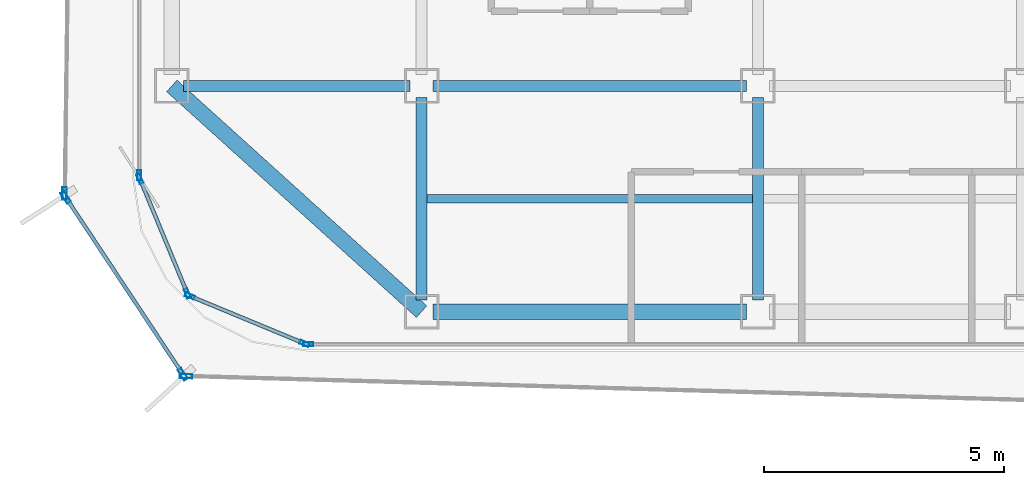
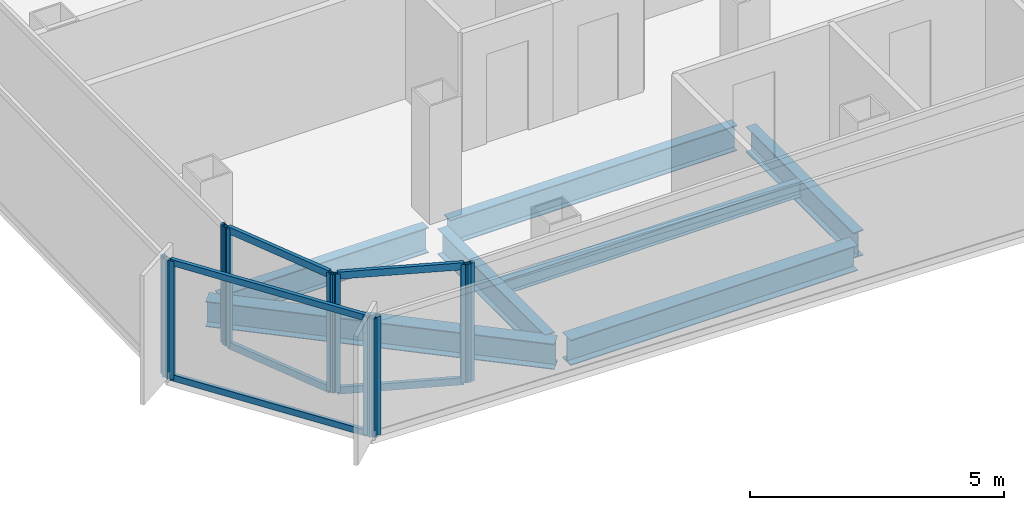
# One storey, part 2 of 15: 16 members, 7 beams, 7 elements without a shape of their own.
"""IFC4 building model written with IfcOpenShell, lengths in metres."""

from ifc_helpers import new_model, si_unit, direction, frame, origin, origin_2d, place, context, subcontext, project, spatial, hollow_rectangle, i_section, extrude, source, transform, mapped, material, layer, layer_set, material_profile, profile_set, type_object, element, aggregate, save


model = new_model("IFC4")

# Units and contexts
model_context = context("Model", 3, precision=1e-05, world=origin(), true_north=direction((0.0, 1.0)))
body_context = subcontext(model_context, "Body", "Model", "MODEL_VIEW")
ifc_project = project(units=[si_unit("LENGTHUNIT", "METRE"), si_unit("AREAUNIT", "SQUARE_METRE"), si_unit("VOLUMEUNIT", "CUBIC_METRE"), si_unit("PLANEANGLEUNIT", "RADIAN"), si_unit("MASSUNIT", "GRAM", prefix="KILO")], contexts=[model_context])

# Site, building, storey
site_placement = place(None, origin())
site = spatial("IfcSite", under=ifc_project, at=site_placement, CompositionType="ELEMENT")
building_placement = place(site_placement, origin())
building = spatial("IfcBuilding", under=site, at=building_placement, Name="Kolveth Station Tower", CompositionType="ELEMENT")
storey_placement = place(building_placement, frame((0.0, 0.0, 184.89990234375)))
storey = spatial("IfcBuildingStorey", under=building, at=storey_placement, Name="L52", CompositionType="ELEMENT", Elevation=184.89990234375)

# Beams
ifc_material_1 = material(Name="Steel S355", Category="steel")
ifc_material_profile_1 = material_profile(ifc_material_1, i_section(OverallWidth=0.323974609375, OverallDepth=0.611083984375, WebThickness=0.0126953125, FlangeThickness=0.01904296875, at=origin_2d()), Name="W610x155")
ifc_profile_set_1 = profile_set([ifc_material_profile_1], Name="Steel S355")
beam_type_1 = type_object("IfcBeamType", Name="Beam_SP2", PredefinedType="SPANDREL", material=ifc_profile_set_1)
shared_shape_1 = source(origin(), body_context, "Body", "SweptSolid", [
    extrude(i_section(OverallWidth=0.323974609375, OverallDepth=0.611083984375, WebThickness=0.0126953125, FlangeThickness=0.01904296875, at=origin_2d()), origin(), (0.0, 0.0, 1.0), 7.00927734375),
])
beam_1_placement = place(storey_placement, frame((0.800048828125, 5.5, -0.555419921875), z_axis=(0.741874009795, -0.670539300557, 0.0), x_axis=(0.670539300557, 0.741874009795, 0.0)))
element("IfcBeam", 1, at=beam_1_placement, inside=storey, type_object=beam_type_1, Name="L52 Corner Edge Girder BM-L52-CNR-SW", PredefinedType="SPANDREL", context=body_context, shape_type="MappedRepresentation", body=[
    mapped(shared_shape_1, transform((0.0, 0.0, 0.0), x_axis=(1.0, 0.0, 0.0), y_axis=(0.0, 1.0, 0.0), z_axis=(0.0, 0.0, 1.0), scale=1.0)),
])
shared_shape_2 = source(origin(), body_context, "Body", "SweptSolid", [
    extrude(i_section(OverallWidth=0.323974609375, OverallDepth=0.611083984375, WebThickness=0.0126953125, FlangeThickness=0.01904296875, at=origin_2d()), origin(), (0.0, 0.0, 1.0), 6.52001953125),
])
beam_2_placement = place(storey_placement, frame((6.239990234375, 0.800048828125, -0.555419921875), z_axis=(1.0, 0.0, 0.0), x_axis=(0.0, 1.0, 0.0)))
element("IfcBeam", 2, at=beam_2_placement, inside=storey, type_object=beam_type_1, Name="L52 Perimeter Spandrel BM-L52-PS-1", PredefinedType="SPANDREL", context=body_context, shape_type="MappedRepresentation", body=[
    mapped(shared_shape_2, transform((0.0, 0.0, 0.0), x_axis=(1.0, 0.0, 0.0), y_axis=(0.0, 1.0, 0.0), z_axis=(0.0, 0.0, 1.0), scale=1.0)),
])
ifc_material_profile_2 = material_profile(ifc_material_1, i_section(OverallWidth=0.22900390625, OverallDepth=0.612060546875, WebThickness=0.011962890625, FlangeThickness=0.01953125, at=origin_2d()), Name="W610x125")
ifc_profile_set_2 = profile_set([ifc_material_profile_2], Name="Steel S355")
beam_type_2 = type_object("IfcBeamType", Name="Beam_B5", PredefinedType="BEAM", material=ifc_profile_set_2)
shared_shape_3 = source(origin(), body_context, "Body", "SweptSolid", [
    extrude(i_section(OverallWidth=0.22900390625, OverallDepth=0.612060546875, WebThickness=0.011962890625, FlangeThickness=0.01953125, at=origin_2d()), origin(), (0.0, 0.0, 1.0), 4.719970703125),
])
beam_3_placement = place(storey_placement, frame((1.0400390625, 5.5, -0.555908203125), z_axis=(1.0, 0.0, 0.0), x_axis=(0.0, 1.0, 0.0)))
element("IfcBeam", 3, at=beam_3_placement, inside=storey, type_object=beam_type_2, Name="L52 Primary Girder BM-L52-GY55-1", PredefinedType="BEAM", context=body_context, shape_type="MappedRepresentation", body=[
    mapped(shared_shape_3, transform((0.0, 0.0, 0.0), x_axis=(1.0, 0.0, 0.0), y_axis=(0.0, 1.0, 0.0), z_axis=(0.0, 0.0, 1.0), scale=1.0)),
])
shared_shape_4 = source(origin(), body_context, "Body", "SweptSolid", [
    extrude(i_section(OverallWidth=0.22900390625, OverallDepth=0.612060546875, WebThickness=0.011962890625, FlangeThickness=0.01953125, at=origin_2d()), origin(), (0.0, 0.0, 1.0), 6.52001953125),
])
beam_4_placement = place(storey_placement, frame((6.239990234375, 5.5, -0.555908203125), z_axis=(1.0, 0.0, 0.0), x_axis=(0.0, 1.0, 0.0)))
element("IfcBeam", 4, at=beam_4_placement, inside=storey, type_object=beam_type_2, Name="L52 Primary Girder BM-L52-GY55-2", PredefinedType="BEAM", context=body_context, shape_type="MappedRepresentation", body=[
    mapped(shared_shape_4, transform((0.0, 0.0, 0.0), x_axis=(1.0, 0.0, 0.0), y_axis=(0.0, 1.0, 0.0), z_axis=(0.0, 0.0, 1.0), scale=1.0)),
])
shared_shape_5 = source(origin(), body_context, "Body", "SweptSolid", [
    extrude(i_section(OverallWidth=0.22900390625, OverallDepth=0.612060546875, WebThickness=0.011962890625, FlangeThickness=0.01953125, at=origin_2d()), origin(), (0.0, 0.0, 1.0), 4.219970703125),
])
for number, where, z_axis, x_axis, name in (
    (5, (6.0, 1.0400390625, -0.555908203125), (0.0, 1.0, 0.0), (-1.0, 0.0, 0.0), "L52 Primary Girder BM-L52-GX60-1"),
    (6, (13.0, 1.0400390625, -0.555908203125), (0.0, 1.0, 0.0), (-1.0, 0.0, 0.0), "L52 Primary Girder BM-L52-GX130-1"),
):
    element("IfcBeam", number, at=place(storey_placement, frame(where, z_axis=z_axis, x_axis=x_axis)), inside=storey, type_object=beam_type_2, Name=name, PredefinedType="BEAM", context=body_context, shape_type="MappedRepresentation", body=[
        mapped(shared_shape_5, transform((0.0, 0.0, 0.0), x_axis=(1.0, 0.0, 0.0), y_axis=(0.0, 1.0, 0.0), z_axis=(0.0, 0.0, 1.0), scale=1.0)),
    ])
ifc_material_profile_3 = material_profile(ifc_material_1, i_section(OverallWidth=0.1708984375, OverallDepth=0.35205078125, WebThickness=0.0068359375, FlangeThickness=0.009765625, at=origin_2d()), Name="W360x44")
ifc_profile_set_3 = profile_set([ifc_material_profile_3], Name="Steel S355")
beam_type_3 = type_object("IfcBeamType", Name="Beam_J2", PredefinedType="JOIST", material=ifc_profile_set_3)
shared_shape_6 = source(origin(), body_context, "Body", "SweptSolid", [
    extrude(i_section(OverallWidth=0.1708984375, OverallDepth=0.35205078125, WebThickness=0.0068359375, FlangeThickness=0.009765625, at=origin_2d()), origin(), (0.0, 0.0, 1.0), 6.77490234375),
])
beam_5_placement = place(storey_placement, frame((6.112548828125, 3.14990234375, -0.42578125), z_axis=(1.0, 0.0, 0.0), x_axis=(0.0, 1.0, 0.0)))
element("IfcBeam", 7, at=beam_5_placement, inside=storey, type_object=beam_type_3, Name="L52 Secondary Joist JST-L52-2-1", PredefinedType="JOIST", context=body_context, shape_type="MappedRepresentation", body=[
    mapped(shared_shape_6, transform((0.0, 0.0, 0.0), x_axis=(1.0, 0.0, 0.0), y_axis=(0.0, 1.0, 0.0), z_axis=(0.0, 0.0, 1.0), scale=1.0)),
])

# Curtain wall, member
ifc_material_2 = material(Name="Aluminium 6063-T6 and low-E dark glass", Category="aluminium")
ifc_layer_1 = layer(ifc_material_2, 0.18994140625)
ifc_layer_set_1 = layer_set([ifc_layer_1], Name="Aluminium 6063-T6 and low-E dark glass")
curtain_wall_type_1 = type_object("IfcCurtainWallType", Name="CurtainWall_CW-Z2", PredefinedType="NOTDEFINED", material=ifc_layer_set_1)
curtain_wall_1_placement = place(storey_placement, origin())
curtain_wall_1 = element("IfcCurtainWall", 8, at=curtain_wall_1_placement, inside=storey, type_object=curtain_wall_type_1, Name="L52 Inner Thermal Curtain Wall 9", PredefinedType="NOTDEFINED")
ifc_material_3 = material(Name="Black anodized aluminium 6063-T6", Category="aluminium")
ifc_material_profile_4 = material_profile(ifc_material_3, hollow_rectangle(XDim=0.080078125, YDim=0.199951171875, WallThickness=0.0048828125, at=origin_2d()), Name="ALU-80x200x5")
ifc_profile_set_4 = profile_set([ifc_material_profile_4], Name="Black anodized aluminium 6063-T6")
member_type_1 = type_object("IfcMemberType", Name="Mullion_ML2", PredefinedType="MULLION", material=ifc_profile_set_4)
shared_shape_7 = source(origin(), body_context, "Body", "SweptSolid", [
    extrude(hollow_rectangle(XDim=0.080078125, YDim=0.199951171875, WallThickness=0.0048828125, at=origin_2d()), origin(), (0.0, 0.0, 1.0), 2.840087890625),
])
member_1_placement = place(storey_placement, frame((0.1201171875, 3.639892578125, 0.0), z_axis=(0.0, 0.0, 1.0), x_axis=(1.0, 0.0, 0.0)))
member_1 = element("IfcMember", 9, at=member_1_placement, type_object=member_type_1, Name="CW-Z2 mullion 2", PredefinedType="MULLION", context=body_context, shape_type="MappedRepresentation", body=[
    mapped(shared_shape_7, transform((0.0, 0.0, 0.0), x_axis=(1.0, 0.0, 0.0), y_axis=(0.0, 1.0, 0.0), z_axis=(0.0, 0.0, 1.0), scale=1.0)),
])
aggregate(curtain_wall_1, [member_1])

# Curtain wall, members
curtain_wall_2_placement = place(storey_placement, origin())
curtain_wall_2 = element("IfcCurtainWall", 10, at=curtain_wall_2_placement, inside=storey, type_object=curtain_wall_type_1, Name="L52 Inner Thermal Curtain Wall 10", PredefinedType="NOTDEFINED")
member_2_placement = place(storey_placement, frame((0.13525390625, 3.56298828125, 0.0), z_axis=(0.0, 0.0, 1.0), x_axis=(0.923873600544, 0.382697753087, 0.0)))
member_2 = element("IfcMember", 11, at=member_2_placement, type_object=member_type_1, Name="CW-Z2 mullion 1", PredefinedType="MULLION", context=body_context, shape_type="MappedRepresentation", body=[
    mapped(shared_shape_7, transform((0.0, 0.0, 0.0), x_axis=(1.0, 0.0, 0.0), y_axis=(0.0, 1.0, 0.0), z_axis=(0.0, 0.0, 1.0), scale=1.0)),
])
member_3_placement = place(storey_placement, frame((1.1240234375, 1.17626953125, 0.0), z_axis=(0.0, 0.0, 1.0), x_axis=(0.923873600544, 0.382697753087, 0.0)))
member_3 = element("IfcMember", 12, at=member_3_placement, type_object=member_type_1, Name="CW-Z2 mullion 2", PredefinedType="MULLION", context=body_context, shape_type="MappedRepresentation", body=[
    mapped(shared_shape_7, transform((0.0, 0.0, 0.0), x_axis=(1.0, 0.0, 0.0), y_axis=(0.0, 1.0, 0.0), z_axis=(0.0, 0.0, 1.0), scale=1.0)),
])

curtain_wall_3_placement = place(storey_placement, origin())
curtain_wall_3 = element("IfcCurtainWall", 13, at=curtain_wall_3_placement, inside=storey, type_object=curtain_wall_type_1, Name="L52 Inner Thermal Curtain Wall 11", PredefinedType="NOTDEFINED")
member_4_placement = place(storey_placement, frame((1.17626953125, 1.1240234375, 0.0), z_axis=(0.0, 0.0, 1.0), x_axis=(0.382697753087, 0.923873600544, 0.0)))
member_4 = element("IfcMember", 14, at=member_4_placement, type_object=member_type_1, Name="CW-Z2 mullion 1", PredefinedType="MULLION", context=body_context, shape_type="MappedRepresentation", body=[
    mapped(shared_shape_7, transform((0.0, 0.0, 0.0), x_axis=(1.0, 0.0, 0.0), y_axis=(0.0, 1.0, 0.0), z_axis=(0.0, 0.0, 1.0), scale=1.0)),
])
member_5_placement = place(storey_placement, frame((3.56298828125, 0.13525390625, 0.0), z_axis=(0.0, 0.0, 1.0), x_axis=(0.382697753087, 0.923873600544, 0.0)))
member_5 = element("IfcMember", 15, at=member_5_placement, type_object=member_type_1, Name="CW-Z2 mullion 2", PredefinedType="MULLION", context=body_context, shape_type="MappedRepresentation", body=[
    mapped(shared_shape_7, transform((0.0, 0.0, 0.0), x_axis=(1.0, 0.0, 0.0), y_axis=(0.0, 1.0, 0.0), z_axis=(0.0, 0.0, 1.0), scale=1.0)),
])

# Curtain wall, member
curtain_wall_4_placement = place(storey_placement, origin())
curtain_wall_4 = element("IfcCurtainWall", 16, at=curtain_wall_4_placement, inside=storey, type_object=curtain_wall_type_1, Name="L52 Inner Thermal Curtain Wall 12", PredefinedType="NOTDEFINED")
member_6_placement = place(storey_placement, frame((3.639892578125, 0.1201171875, 0.0), z_axis=(0.0, 0.0, 1.0), x_axis=(0.0, 1.0, 0.0)))
member_6 = element("IfcMember", 17, at=member_6_placement, type_object=member_type_1, Name="CW-Z2 mullion 1", PredefinedType="MULLION", context=body_context, shape_type="MappedRepresentation", body=[
    mapped(shared_shape_7, transform((0.0, 0.0, 0.0), x_axis=(1.0, 0.0, 0.0), y_axis=(0.0, 1.0, 0.0), z_axis=(0.0, 0.0, 1.0), scale=1.0)),
])
aggregate(curtain_wall_4, [member_6])

ifc_material_4 = material(Name="Black anodized aluminium 6063-T6 and dark solar glass", Category="aluminium")
ifc_layer_2 = layer(ifc_material_4, 0.159912109375)
ifc_layer_set_2 = layer_set([ifc_layer_2], Name="Black anodized aluminium 6063-T6 and dark solar glass")
curtain_wall_type_2 = type_object("IfcCurtainWallType", Name="OUTER SKIN CW-OS", PredefinedType="NOTDEFINED", material=ifc_layer_set_2)
curtain_wall_5_placement = place(storey_placement, origin())
curtain_wall_5 = element("IfcCurtainWall", 18, at=curtain_wall_5_placement, inside=storey, type_object=curtain_wall_type_2, Name="L52 Outer Ventilated Skin Curtain Wall 6", PredefinedType="NOTDEFINED")
ifc_material_profile_5 = material_profile(ifc_material_3, hollow_rectangle(XDim=0.090087890625, YDim=0.260009765625, WallThickness=0.0048828125, at=origin_2d()), Name="ALU-90x260x5")
ifc_profile_set_5 = profile_set([ifc_material_profile_5], Name="Black anodized aluminium 6063-T6")
member_type_2 = type_object("IfcMemberType", Name="FIN MULLION ML-OS", PredefinedType="MULLION", material=ifc_profile_set_5)
shared_shape_8 = source(origin(), body_context, "Body", "SweptSolid", [
    extrude(hollow_rectangle(XDim=0.090087890625, YDim=0.260009765625, WallThickness=0.0048828125, at=origin_2d()), origin(), (0.0, 0.0, 1.0), 2.840087890625),
])
member_7_placement = place(storey_placement, frame((-1.43359375, 3.26171875, 0.0), z_axis=(0.0, 0.0, 1.0), x_axis=(0.999911819587, -0.01327979858, 0.0)))
member_7 = element("IfcMember", 19, at=member_7_placement, type_object=member_type_2, Name="CW-OS mullion 2", PredefinedType="MULLION", context=body_context, shape_type="MappedRepresentation", body=[
    mapped(shared_shape_8, transform((0.0, 0.0, 0.0), x_axis=(1.0, 0.0, 0.0), y_axis=(0.0, 1.0, 0.0), z_axis=(0.0, 0.0, 1.0), scale=1.0)),
])
aggregate(curtain_wall_5, [member_7])

# Curtain wall, members
curtain_wall_6_placement = place(storey_placement, origin())
curtain_wall_6 = element("IfcCurtainWall", 20, at=curtain_wall_6_placement, inside=storey, type_object=curtain_wall_type_2, Name="L52 Outer Ventilated Skin Curtain Wall 7", PredefinedType="NOTDEFINED")
member_8_placement = place(storey_placement, frame((-1.4091796875, 3.17919921875, 0.0), z_axis=(0.0, 0.0, 1.0), x_axis=(0.834035056864, 0.551711449873, 0.0)))
member_8 = element("IfcMember", 21, at=member_8_placement, type_object=member_type_2, Name="CW-OS mullion 1", PredefinedType="MULLION", context=body_context, shape_type="MappedRepresentation", body=[
    mapped(shared_shape_8, transform((0.0, 0.0, 0.0), x_axis=(1.0, 0.0, 0.0), y_axis=(0.0, 1.0, 0.0), z_axis=(0.0, 0.0, 1.0), scale=1.0)),
])
member_9_placement = place(storey_placement, frame((1.027587890625, -0.504638671875, 0.0), z_axis=(0.0, 0.0, 1.0), x_axis=(0.834035056864, 0.551711449873, 0.0)))
member_9 = element("IfcMember", 22, at=member_9_placement, type_object=member_type_2, Name="CW-OS mullion 2", PredefinedType="MULLION", context=body_context, shape_type="MappedRepresentation", body=[
    mapped(shared_shape_8, transform((0.0, 0.0, 0.0), x_axis=(1.0, 0.0, 0.0), y_axis=(0.0, 1.0, 0.0), z_axis=(0.0, 0.0, 1.0), scale=1.0)),
])

# Curtain wall, member
curtain_wall_7_placement = place(storey_placement, origin())
curtain_wall_7 = element("IfcCurtainWall", 23, at=curtain_wall_7_placement, inside=storey, type_object=curtain_wall_type_2, Name="L52 Outer Ventilated Skin Curtain Wall 8", PredefinedType="NOTDEFINED")
member_10_placement = place(storey_placement, frame((1.097412109375, -0.54345703125, 0.0), z_axis=(0.0, 0.0, 1.0), x_axis=(0.028485287861, 0.999594211856, 0.0)))
member_10 = element("IfcMember", 24, at=member_10_placement, type_object=member_type_2, Name="CW-OS mullion 1", PredefinedType="MULLION", context=body_context, shape_type="MappedRepresentation", body=[
    mapped(shared_shape_8, transform((0.0, 0.0, 0.0), x_axis=(1.0, 0.0, 0.0), y_axis=(0.0, 1.0, 0.0), z_axis=(0.0, 0.0, 1.0), scale=1.0)),
])
aggregate(curtain_wall_7, [member_10])

# Member
ifc_material_profile_6 = material_profile(ifc_material_3, hollow_rectangle(XDim=0.080078125, YDim=0.169921875, WallThickness=0.0048828125, at=origin_2d()), Name="ALU-80x170x5")
ifc_profile_set_6 = profile_set([ifc_material_profile_6], Name="Black anodized aluminium 6063-T6")
member_type_3 = type_object("IfcMemberType", Name="Transom_TR2", PredefinedType="USERDEFINED", material=ifc_profile_set_6)
shared_shape_9 = source(origin(), body_context, "Body", "SweptSolid", [
    extrude(hollow_rectangle(XDim=0.080078125, YDim=0.169921875, WallThickness=0.0048828125, at=origin_2d()), origin(), (0.0, 0.0, 1.0), 2.50341796875),
])
member_11_placement = place(storey_placement, frame((0.150634765625, 3.526123046875, 0.0400390625), z_axis=(0.382661849723, -0.923888472039, 0.0), x_axis=(0.923888472039, 0.382661849723, 0.0)))
member_11 = element("IfcMember", 25, at=member_11_placement, type_object=member_type_3, Name="CW-Z2 transom 1.1", ObjectType="TRANSOM", PredefinedType="USERDEFINED", context=body_context, shape_type="MappedRepresentation", body=[
    mapped(shared_shape_9, transform((0.0, 0.0, 0.0), x_axis=(1.0, 0.0, 0.0), y_axis=(0.0, 1.0, 0.0), z_axis=(0.0, 0.0, 1.0), scale=1.0)),
])

member_12_placement = place(storey_placement, frame((0.150634765625, 3.526123046875, 2.800048828125), z_axis=(0.382661849723, -0.923888472039, 0.0), x_axis=(0.923888472039, 0.382661849723, 0.0)))
member_12 = element("IfcMember", 26, at=member_12_placement, type_object=member_type_3, Name="CW-Z2 transom 1.2", ObjectType="TRANSOM", PredefinedType="USERDEFINED", context=body_context, shape_type="MappedRepresentation", body=[
    mapped(shared_shape_9, transform((0.0, 0.0, 0.0), x_axis=(1.0, 0.0, 0.0), y_axis=(0.0, 1.0, 0.0), z_axis=(0.0, 0.0, 1.0), scale=1.0)),
])

aggregate(curtain_wall_2, [member_2, member_3, member_11, member_12])

member_13_placement = place(storey_placement, frame((1.213134765625, 1.108642578125, 0.0400390625), z_axis=(0.923888472039, -0.382661849723, 0.0), x_axis=(0.382661849723, 0.923888472039, 0.0)))
member_13 = element("IfcMember", 27, at=member_13_placement, type_object=member_type_3, Name="CW-Z2 transom 1.1", ObjectType="TRANSOM", PredefinedType="USERDEFINED", context=body_context, shape_type="MappedRepresentation", body=[
    mapped(shared_shape_9, transform((0.0, 0.0, 0.0), x_axis=(1.0, 0.0, 0.0), y_axis=(0.0, 1.0, 0.0), z_axis=(0.0, 0.0, 1.0), scale=1.0)),
])

member_14_placement = place(storey_placement, frame((1.213134765625, 1.108642578125, 2.800048828125), z_axis=(0.923888472039, -0.382661849723, 0.0), x_axis=(0.382661849723, 0.923888472039, 0.0)))
member_14 = element("IfcMember", 28, at=member_14_placement, type_object=member_type_3, Name="CW-Z2 transom 1.2", ObjectType="TRANSOM", PredefinedType="USERDEFINED", context=body_context, shape_type="MappedRepresentation", body=[
    mapped(shared_shape_9, transform((0.0, 0.0, 0.0), x_axis=(1.0, 0.0, 0.0), y_axis=(0.0, 1.0, 0.0), z_axis=(0.0, 0.0, 1.0), scale=1.0)),
])

aggregate(curtain_wall_3, [member_4, member_5, member_13, member_14])

ifc_material_profile_7 = material_profile(ifc_material_3, hollow_rectangle(XDim=0.080078125, YDim=0.14990234375, WallThickness=0.0048828125, at=origin_2d()), Name="ALU-80x150x5")
ifc_profile_set_7 = profile_set([ifc_material_profile_7], Name="Black anodized aluminium 6063-T6")
member_type_4 = type_object("IfcMemberType", Name="Transom_TR-OS", PredefinedType="USERDEFINED", material=ifc_profile_set_7)
shared_shape_10 = source(origin(), body_context, "Body", "SweptSolid", [
    extrude(hollow_rectangle(XDim=0.080078125, YDim=0.14990234375, WallThickness=0.0048828125, at=origin_2d()), origin(), (0.0, 0.0, 1.0), 4.326904296875),
])
member_15_placement = place(storey_placement, frame((-1.384521484375, 3.141845703125, 0.0400390625), z_axis=(0.551701856194, -0.834041402972, 0.0), x_axis=(0.834041402972, 0.551701856194, 0.0)))
member_15 = element("IfcMember", 29, at=member_15_placement, type_object=member_type_4, Name="CW-OS transom 1.1", ObjectType="TRANSOM", PredefinedType="USERDEFINED", context=body_context, shape_type="MappedRepresentation", body=[
    mapped(shared_shape_10, transform((0.0, 0.0, 0.0), x_axis=(1.0, 0.0, 0.0), y_axis=(0.0, 1.0, 0.0), z_axis=(0.0, 0.0, 1.0), scale=1.0)),
])

member_16_placement = place(storey_placement, frame((-1.384521484375, 3.141845703125, 2.800048828125), z_axis=(0.551701856194, -0.834041402972, 0.0), x_axis=(0.834041402972, 0.551701856194, 0.0)))
member_16 = element("IfcMember", 30, at=member_16_placement, type_object=member_type_4, Name="CW-OS transom 1.2", ObjectType="TRANSOM", PredefinedType="USERDEFINED", context=body_context, shape_type="MappedRepresentation", body=[
    mapped(shared_shape_10, transform((0.0, 0.0, 0.0), x_axis=(1.0, 0.0, 0.0), y_axis=(0.0, 1.0, 0.0), z_axis=(0.0, 0.0, 1.0), scale=1.0)),
])

aggregate(curtain_wall_6, [member_8, member_9, member_15, member_16])

save(model, "model.ifc")
